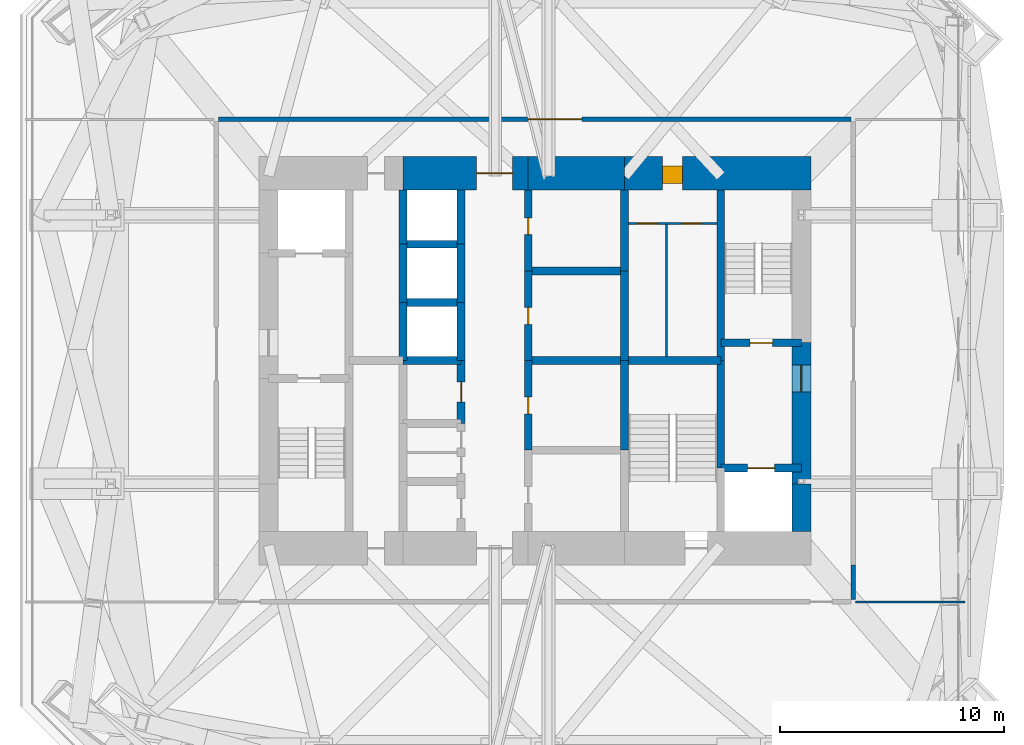
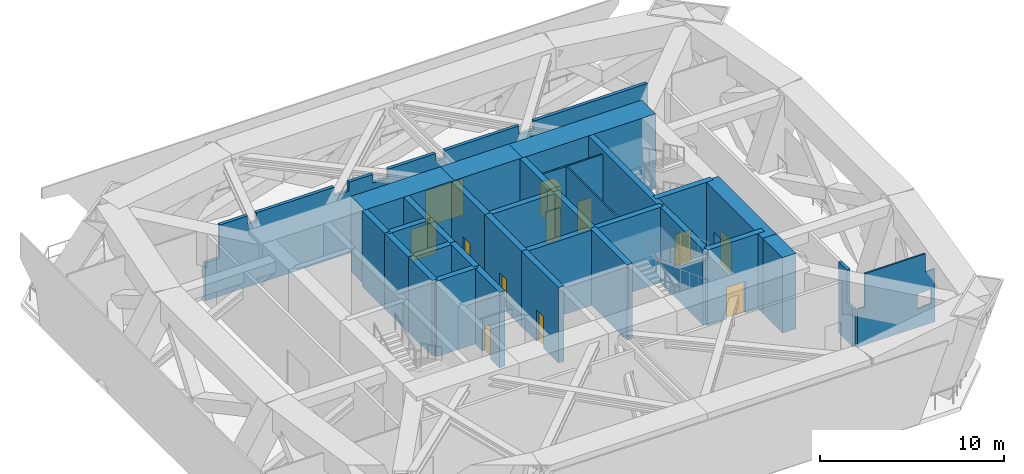
# One storey, part 5 of 8: 33 walls, 12 doors, 12 openings.
"""IFC4 building model written with IfcOpenShell, lengths in metres."""

from ifc_helpers import new_model, si_unit, direction, frame, frame_2d, origin, place, context, subcontext, project, spatial, polyline, rectangle, outline, extrude, material, layer, layer_set, constituent, constituent_set, type_object, element, fill, save


model = new_model("IFC4")

# Units and contexts
model_context = context("Model", 3, precision=1e-05, world=origin(), true_north=direction((0.0, 1.0)))
body_context = subcontext(model_context, "Body", "Model", "MODEL_VIEW")
ifc_project = project(units=[si_unit("LENGTHUNIT", "METRE"), si_unit("AREAUNIT", "SQUARE_METRE"), si_unit("VOLUMEUNIT", "CUBIC_METRE"), si_unit("PLANEANGLEUNIT", "RADIAN"), si_unit("MASSUNIT", "GRAM", prefix="KILO")], contexts=[model_context])

# Site, building, storey
site_placement = place(None, origin())
site = spatial("IfcSite", under=ifc_project, at=site_placement, CompositionType="ELEMENT")
building_placement = place(site_placement, origin())
building = spatial("IfcBuilding", under=site, at=building_placement, Name="Jalousie Tower", CompositionType="ELEMENT")
storey_placement = place(building_placement, frame((0.0, 0.0, 149.35009765625)))
storey = spatial("IfcBuildingStorey", under=building, at=storey_placement, Name="L40", CompositionType="ELEMENT", Elevation=149.35009765625)

# Wall, opening, door
ifc_material_1 = material(Name="Concrete f'c 120 MPa", Category="concrete")
ifc_layer_1 = layer(ifc_material_1, 1.5)
ifc_layer_set_1 = layer_set([ifc_layer_1], Name="Concrete f'c 120 MPa")
wall_type_1 = type_object("IfcWallType", Name="CORE WALL 1500", PredefinedType="SHEAR", material=ifc_layer_set_1)
wall_1_placement = place(storey_placement, frame((44.22509765625, 26.875, 0.0), z_axis=(0.0, 0.0, 1.0), x_axis=(-1.0, 0.0, 0.0)))
wall_1 = element("IfcWall", 1, at=wall_1_placement, inside=storey, type_object=wall_type_1, Name="Core wall NA L40", PredefinedType="SHEAR", context=body_context, shape_type="SweptSolid", body=[
    extrude(rectangle(XDim=8.3251953125, YDim=1.5, at=frame_2d((4.16259765625, 0.0))), origin(), (0.0, 0.0, 1.0), 5.0),
])
opening_1_placement = place(wall_1_placement, frame((5.72509765625, 0.0, 0.0)))
opening_1 = element("IfcOpeningElement", 2, at=opening_1_placement, cuts=wall_1, Name="Opening D25", PredefinedType="OPENING", context=body_context, shape_type="SweptSolid", body=[
    extrude(rectangle(XDim=0.89990234375, YDim=2.10009765625, at=frame_2d((0.449951171875, 1.050048828125))), frame((0.0, 0.760009765625, 0.0), z_axis=(0.0, -1.0, 0.0), x_axis=(1.0, 0.0, 0.0)), (0.0, 0.0, 1.0), 1.52001953125),
])
ifc_material_2 = material(Name="Steel fire door", Category="steel")
door_type_1 = type_object("IfcDoorType", Name="SERVICE LOBBY DOOR 900", OperationType="SINGLE_SWING_LEFT", PredefinedType="DOOR", material=ifc_material_2)
door_1_placement = place(opening_1_placement, origin())
door_1 = element("IfcDoor", 3, at=door_1_placement, inside=storey, type_object=door_type_1, Name="Service lobby door", OperationType="SINGLE_SWING_LEFT", OverallHeight=2.10009765625, OverallWidth=0.89990234375, PredefinedType="DOOR", context=body_context, shape_type="SweptSolid", body=[
    extrude(rectangle(XDim=0.89990234375, YDim=2.10009765625, at=frame_2d((0.449951171875, 1.050048828125))), frame((0.0, 0.47021484375, 0.0), z_axis=(0.0, -1.0, 0.0), x_axis=(1.0, 0.0, 0.0)), (0.0, 0.0, 1.0), 0.800048828125),
])
fill(opening_1, door_1)

# Wall
wall_2_placement = place(storey_placement, frame((35.89990234375, 26.875, 0.0), z_axis=(0.0, 0.0, 1.0), x_axis=(-1.0, 0.0, 0.0)))
element("IfcWall", 4, at=wall_2_placement, inside=storey, type_object=wall_type_1, Name="Core wall NB L40", PredefinedType="SHEAR", context=body_context, shape_type="SweptSolid", body=[
    extrude(rectangle(XDim=4.2998046875, YDim=1.5, at=frame_2d((2.14990234375, 0.0))), origin(), (0.0, 0.0, 1.0), 5.0),
])

# Wall, opening, door
wall_3_placement = place(storey_placement, frame((31.60009765625, 26.875, 0.0), z_axis=(0.0, 0.0, 1.0), x_axis=(-1.0, 0.0, 0.0)))
wall_3 = element("IfcWall", 5, at=wall_3_placement, inside=storey, type_object=wall_type_1, Name="Core wall NC L40", PredefinedType="SHEAR", context=body_context, shape_type="SweptSolid", body=[
    extrude(rectangle(XDim=5.60009765625, YDim=1.5, at=frame_2d((2.800048828125, 0.0))), origin(), (0.0, 0.0, 1.0), 5.0),
])
opening_2_placement = place(wall_3_placement, frame((0.699951171875, 0.0, 0.0)))
opening_2 = element("IfcOpeningElement", 6, at=opening_2_placement, cuts=wall_3, Name="Opening D15", PredefinedType="OPENING", context=body_context, shape_type="SweptSolid", body=[
    extrude(rectangle(XDim=1.60009765625, YDim=2.10009765625, at=frame_2d((0.800048828125, 1.050048828125))), frame((0.0, 0.760009765625, 0.0), z_axis=(0.0, -1.0, 0.0), x_axis=(1.0, 0.0, 0.0)), (0.0, 0.0, 1.0), 1.52001953125),
])
ifc_material_3 = material(Name="Steel fire door", Category="steel")
door_type_2 = type_object("IfcDoorType", Name="LIFT LOBBY DOOR 1600", OperationType="DOUBLE_DOOR_SINGLE_SWING", PredefinedType="DOOR", material=ifc_material_3)
door_2_placement = place(opening_2_placement, origin())
door_2 = element("IfcDoor", 7, at=door_2_placement, inside=storey, type_object=door_type_2, Name="Lift lobby north door", OperationType="DOUBLE_DOOR_SINGLE_SWING", OverallHeight=2.10009765625, OverallWidth=1.60009765625, PredefinedType="DOOR", context=body_context, shape_type="SweptSolid", body=[
    extrude(rectangle(XDim=1.60009765625, YDim=2.10009765625, at=frame_2d((0.800048828125, 1.050048828125))), frame((0.0, 0.02490234375, 0.0), z_axis=(0.0, -1.0, 0.0), x_axis=(1.0, 0.0, 0.0)), (0.0, 0.0, 1.0), 0.050048828125),
])
fill(opening_2, door_2)

# Walls
ifc_material_4 = material(Name="Concrete f'c 120 MPa", Category="concrete")
ifc_layer_2 = layer(ifc_material_4, 0.35009765625)
ifc_layer_set_2 = layer_set([ifc_layer_2], Name="Concrete f'c 120 MPa")
wall_type_2 = type_object("IfcWallType", Name="CORE WALL 350", PredefinedType="SHEAR", material=ifc_layer_set_2)
wall_4_placement = place(storey_placement, frame((26.0, 18.5, 0.0), z_axis=(0.0, 0.0, 1.0), x_axis=(0.0, 1.0, 0.0)))
element("IfcWall", 8, at=wall_4_placement, inside=storey, type_object=wall_type_2, Name="Core wall X26D L40", PredefinedType="SHEAR", context=body_context, shape_type="SweptSolid", body=[
    extrude(rectangle(XDim=2.60009765625, YDim=0.35009765625, at=frame_2d((1.300048828125, 0.0))), origin(), (0.0, 0.0, 1.0), 5.0),
])
wall_5_placement = place(storey_placement, frame((26.0, 21.10009765625, 0.0), z_axis=(0.0, 0.0, 1.0), x_axis=(0.0, 1.0, 0.0)))
element("IfcWall", 9, at=wall_5_placement, inside=storey, type_object=wall_type_2, Name="Core wall X26E L40", PredefinedType="SHEAR", context=body_context, shape_type="SweptSolid", body=[
    extrude(rectangle(XDim=2.599853515625, YDim=0.35009765625, at=frame_2d((1.2998046875, 0.0))), origin(), (0.0, 0.0, 1.0), 5.0),
])
wall_6_placement = place(storey_placement, frame((26.0, 23.699951171875, 0.0), z_axis=(0.0, 0.0, 1.0), x_axis=(0.0, 1.0, 0.0)))
element("IfcWall", 10, at=wall_6_placement, inside=storey, type_object=wall_type_2, Name="Core wall X26F L40", PredefinedType="SHEAR", context=body_context, shape_type="SweptSolid", body=[
    extrude(rectangle(XDim=2.425048828125, YDim=0.35009765625, at=frame_2d((1.21240234375, 0.0))), origin(), (0.0, 0.0, 1.0), 5.0),
])

# Wall, opening, door
wall_7_placement = place(storey_placement, frame((28.60009765625, 15.699951171875, 0.0), z_axis=(0.0, 0.0, 1.0), x_axis=(0.0, 1.0, 0.0)))
wall_7 = element("IfcWall", 11, at=wall_7_placement, inside=storey, type_object=wall_type_2, Name="Core wall X28.6C L40", PredefinedType="SHEAR", context=body_context, shape_type="SweptSolid", body=[
    extrude(rectangle(XDim=2.800048828125, YDim=0.35009765625, at=frame_2d((1.39990234375, 0.0))), origin(), (0.0, 0.0, 1.0), 5.0),
])
opening_3_placement = place(wall_7_placement, frame((0.949951171875, 0.0, 0.0)))
opening_3 = element("IfcOpeningElement", 12, at=opening_3_placement, cuts=wall_7, Name="Opening D24", PredefinedType="OPENING", context=body_context, shape_type="SweptSolid", body=[
    extrude(rectangle(XDim=0.89990234375, YDim=2.10009765625, at=frame_2d((0.449951171875, 1.050048828125))), frame((0.0, 0.18505859375, 0.0), z_axis=(0.0, -1.0, 0.0), x_axis=(1.0, 0.0, 0.0)), (0.0, 0.0, 1.0), 0.3701171875),
])
ifc_material_5 = material(Name="Steel fire door", Category="steel")
door_type_3 = type_object("IfcDoorType", Name="CORE ROOM DOOR 900", OperationType="SINGLE_SWING_LEFT", PredefinedType="DOOR", material=ifc_material_5)
door_3_placement = place(opening_3_placement, origin())
door_3 = element("IfcDoor", 13, at=door_3_placement, inside=storey, type_object=door_type_3, Name="IT room door", OperationType="SINGLE_SWING_LEFT", OverallHeight=2.10009765625, OverallWidth=0.89990234375, PredefinedType="DOOR", context=body_context, shape_type="SweptSolid", body=[
    extrude(rectangle(XDim=0.89990234375, YDim=2.10009765625, at=frame_2d((0.449951171875, 1.050048828125))), frame((0.0, 0.02490234375, 0.0), z_axis=(0.0, -1.0, 0.0), x_axis=(1.0, 0.0, 0.0)), (0.0, 0.0, 1.0), 0.050048828125),
])
fill(opening_3, door_3)

# Walls
wall_8_placement = place(storey_placement, frame((28.60009765625, 18.5, 0.0), z_axis=(0.0, 0.0, 1.0), x_axis=(0.0, 1.0, 0.0)))
element("IfcWall", 14, at=wall_8_placement, inside=storey, type_object=wall_type_2, Name="Core wall X28.6D L40", PredefinedType="SHEAR", context=body_context, shape_type="SweptSolid", body=[
    extrude(rectangle(XDim=2.60009765625, YDim=0.35009765625, at=frame_2d((1.300048828125, 0.0))), origin(), (0.0, 0.0, 1.0), 5.0),
])
wall_9_placement = place(storey_placement, frame((28.60009765625, 21.10009765625, 0.0), z_axis=(0.0, 0.0, 1.0), x_axis=(0.0, 1.0, 0.0)))
element("IfcWall", 15, at=wall_9_placement, inside=storey, type_object=wall_type_2, Name="Core wall X28.6E L40", PredefinedType="SHEAR", context=body_context, shape_type="SweptSolid", body=[
    extrude(rectangle(XDim=2.599853515625, YDim=0.35009765625, at=frame_2d((1.2998046875, 0.0))), origin(), (0.0, 0.0, 1.0), 5.0),
])
wall_10_placement = place(storey_placement, frame((28.60009765625, 23.699951171875, 0.0), z_axis=(0.0, 0.0, 1.0), x_axis=(0.0, 1.0, 0.0)))
element("IfcWall", 16, at=wall_10_placement, inside=storey, type_object=wall_type_2, Name="Core wall X28.6F L40", PredefinedType="SHEAR", context=body_context, shape_type="SweptSolid", body=[
    extrude(rectangle(XDim=2.425048828125, YDim=0.35009765625, at=frame_2d((1.21240234375, 0.0))), origin(), (0.0, 0.0, 1.0), 5.0),
])

# Wall, opening, door
wall_11_placement = place(storey_placement, frame((31.60009765625, 14.5, 0.0), z_axis=(0.0, 0.0, 1.0), x_axis=(0.0, 1.0, 0.0)))
wall_11 = element("IfcWall", 17, at=wall_11_placement, inside=storey, type_object=wall_type_2, Name="Core wall X31.6B L40", PredefinedType="SHEAR", context=body_context, shape_type="SweptSolid", body=[
    extrude(rectangle(XDim=4.0, YDim=0.35009765625, at=frame_2d((2.0, 0.0))), origin(), (0.0, 0.0, 1.0), 5.0),
])
opening_4_placement = place(wall_11_placement, frame((1.625, 0.0, 0.0)))
opening_4 = element("IfcOpeningElement", 18, at=opening_4_placement, cuts=wall_11, Name="Opening D16", PredefinedType="OPENING", context=body_context, shape_type="SweptSolid", body=[
    extrude(rectangle(XDim=0.75, YDim=2.10009765625, at=frame_2d((0.375, 1.050048828125))), frame((0.0, 0.18505859375, 0.0), z_axis=(0.0, -1.0, 0.0), x_axis=(1.0, 0.0, 0.0)), (0.0, 0.0, 1.0), 0.3701171875),
])
ifc_material_6 = material(Name="Steel fire door", Category="steel")
door_type_4 = type_object("IfcDoorType", Name="RISER DOOR 750", OperationType="SINGLE_SWING_LEFT", PredefinedType="DOOR", material=ifc_material_6)
door_4_placement = place(opening_4_placement, frame((0.75, 0.0, 0.0), z_axis=(0.0, 0.0, 1.0), x_axis=(-1.0, 0.0, 0.0)))
door_4 = element("IfcDoor", 19, at=door_4_placement, inside=storey, type_object=door_type_4, Name="Electrical Room door", OperationType="SINGLE_SWING_RIGHT", OverallHeight=2.10009765625, OverallWidth=0.75, PredefinedType="DOOR", context=body_context, shape_type="SweptSolid", body=[
    extrude(rectangle(XDim=0.75, YDim=2.10009765625, at=frame_2d((0.375, 1.050048828125))), frame((0.0, 0.02490234375, 0.0), z_axis=(0.0, -1.0, 0.0), x_axis=(1.0, 0.0, 0.0)), (0.0, 0.0, 1.0), 0.050048828125),
])
fill(opening_4, door_4)

wall_12_placement = place(storey_placement, frame((31.60009765625, 18.5, 0.0), z_axis=(0.0, 0.0, 1.0), x_axis=(0.0, 1.0, 0.0)))
wall_12 = element("IfcWall", 20, at=wall_12_placement, inside=storey, type_object=wall_type_2, Name="Core wall X31.6C L40", PredefinedType="SHEAR", context=body_context, shape_type="SweptSolid", body=[
    extrude(rectangle(XDim=4.0, YDim=0.35009765625, at=frame_2d((2.0, 0.0))), origin(), (0.0, 0.0, 1.0), 5.0),
])
opening_5_placement = place(wall_12_placement, frame((1.625, 0.0, 0.0)))
opening_5 = element("IfcOpeningElement", 21, at=opening_5_placement, cuts=wall_12, Name="Opening D16", PredefinedType="OPENING", context=body_context, shape_type="SweptSolid", body=[
    extrude(rectangle(XDim=0.75, YDim=2.10009765625, at=frame_2d((0.375, 1.050048828125))), frame((0.0, 0.18505859375, 0.0), z_axis=(0.0, -1.0, 0.0), x_axis=(1.0, 0.0, 0.0)), (0.0, 0.0, 1.0), 0.3701171875),
])
door_5_placement = place(opening_5_placement, frame((0.75, 0.0, 0.0), z_axis=(0.0, 0.0, 1.0), x_axis=(-1.0, 0.0, 0.0)))
door_5 = element("IfcDoor", 22, at=door_5_placement, inside=storey, type_object=door_type_4, Name="Telecom Room door", OperationType="SINGLE_SWING_RIGHT", OverallHeight=2.10009765625, OverallWidth=0.75, PredefinedType="DOOR", context=body_context, shape_type="SweptSolid", body=[
    extrude(rectangle(XDim=0.75, YDim=2.10009765625, at=frame_2d((0.375, 1.050048828125))), frame((0.0, 0.02490234375, 0.0), z_axis=(0.0, -1.0, 0.0), x_axis=(1.0, 0.0, 0.0)), (0.0, 0.0, 1.0), 0.050048828125),
])
fill(opening_5, door_5)

wall_13_placement = place(storey_placement, frame((31.60009765625, 22.5, 0.0), z_axis=(0.0, 0.0, 1.0), x_axis=(0.0, 1.0, 0.0)))
wall_13 = element("IfcWall", 23, at=wall_13_placement, inside=storey, type_object=wall_type_2, Name="Core wall X31.6D L40", PredefinedType="SHEAR", context=body_context, shape_type="SweptSolid", body=[
    extrude(rectangle(XDim=3.625, YDim=0.35009765625, at=frame_2d((1.8125, 0.0))), origin(), (0.0, 0.0, 1.0), 5.0),
])
opening_6_placement = place(wall_13_placement, frame((1.625, 0.0, 0.0)))
opening_6 = element("IfcOpeningElement", 24, at=opening_6_placement, cuts=wall_13, Name="Opening D16", PredefinedType="OPENING", context=body_context, shape_type="SweptSolid", body=[
    extrude(rectangle(XDim=0.75, YDim=2.10009765625, at=frame_2d((0.375, 1.050048828125))), frame((0.0, 0.18505859375, 0.0), z_axis=(0.0, -1.0, 0.0), x_axis=(1.0, 0.0, 0.0)), (0.0, 0.0, 1.0), 0.3701171875),
])
door_6_placement = place(opening_6_placement, frame((0.75, 0.0, 0.0), z_axis=(0.0, 0.0, 1.0), x_axis=(-1.0, 0.0, 0.0)))
door_6 = element("IfcDoor", 25, at=door_6_placement, inside=storey, type_object=door_type_4, Name="Water Services Room door", OperationType="SINGLE_SWING_LEFT", OverallHeight=2.10009765625, OverallWidth=0.75, PredefinedType="DOOR", context=body_context, shape_type="SweptSolid", body=[
    extrude(rectangle(XDim=0.75, YDim=2.10009765625, at=frame_2d((0.375, 1.050048828125))), frame((0.0, 0.02490234375, 0.0), z_axis=(0.0, -1.0, 0.0), x_axis=(1.0, 0.0, 0.0)), (0.0, 0.0, 1.0), 0.050048828125),
])
fill(opening_6, door_6)

# Walls
for number, where, z_axis, x_axis, name in (
    (26, (35.89990234375, 14.5, 0.0), (0.0, 0.0, 1.0), (0.0, 1.0, 0.0), "Core wall X35.9B L40"),
    (27, (35.89990234375, 18.5, 0.0), (0.0, 0.0, 1.0), (0.0, 1.0, 0.0), "Core wall X35.9C L40"),
):
    element("IfcWall", number, at=place(storey_placement, frame(where, z_axis=z_axis, x_axis=x_axis)), inside=storey, type_object=wall_type_2, Name=name, PredefinedType="SHEAR", context=body_context, shape_type="SweptSolid", body=[
        extrude(rectangle(XDim=4.0, YDim=0.35009765625, at=frame_2d((2.0, 0.0))), origin(), (0.0, 0.0, 1.0), 5.0),
    ])
wall_14_placement = place(storey_placement, frame((35.89990234375, 22.5, 0.0), z_axis=(0.0, 0.0, 1.0), x_axis=(0.0, 1.0, 0.0)))
element("IfcWall", 28, at=wall_14_placement, inside=storey, type_object=wall_type_2, Name="Core wall X35.9D L40", PredefinedType="SHEAR", context=body_context, shape_type="SweptSolid", body=[
    extrude(rectangle(XDim=3.625, YDim=0.35009765625, at=frame_2d((1.8125, 0.0))), origin(), (0.0, 0.0, 1.0), 5.0),
])
wall_15_placement = place(storey_placement, frame((40.199951171875, 13.699951171875, 0.0), z_axis=(0.0, 0.0, 1.0), x_axis=(0.0, 1.0, 0.0)))
element("IfcWall", 29, at=wall_15_placement, inside=storey, type_object=wall_type_2, Name="Core wall X40.2B L40", PredefinedType="SHEAR", context=body_context, shape_type="SweptSolid", body=[
    extrude(rectangle(XDim=4.800048828125, YDim=0.35009765625, at=frame_2d((2.39990234375, 0.0))), origin(), (0.0, 0.0, 1.0), 5.0),
])
wall_16_placement = place(storey_placement, frame((40.199951171875, 18.5, 0.0), z_axis=(0.0, 0.0, 1.0), x_axis=(0.0, 1.0, 0.0)))
element("IfcWall", 30, at=wall_16_placement, inside=storey, type_object=wall_type_2, Name="Core wall X40.2C L40", PredefinedType="SHEAR", context=body_context, shape_type="SweptSolid", body=[
    extrude(rectangle(XDim=7.625, YDim=0.35009765625, at=frame_2d((3.8125, 0.0))), origin(), (0.0, 0.0, 1.0), 5.0),
])
for number, where, z_axis, x_axis, name in (
    (31, (26.0, 18.5, 0.0), (0.0, 0.0, 1.0), (1.0, 0.0, 0.0), "Core wall Y26-18.5 L40"),
    (32, (26.0, 21.10009765625, 0.0), (0.0, 0.0, 1.0), (1.0, 0.0, 0.0), "Core wall Y26-21.1 L40"),
    (33, (26.0, 23.699951171875, 0.0), (0.0, 0.0, 1.0), (1.0, 0.0, 0.0), "Core wall Y26-23.7 L40"),
):
    element("IfcWall", number, at=place(storey_placement, frame(where, z_axis=z_axis, x_axis=x_axis)), inside=storey, type_object=wall_type_2, Name=name, PredefinedType="SHEAR", context=body_context, shape_type="SweptSolid", body=[
        extrude(rectangle(XDim=2.60009765625, YDim=0.35009765625, at=frame_2d((1.300048828125, 0.0))), origin(), (0.0, 0.0, 1.0), 5.0),
    ])
for number, where, z_axis, x_axis, name in (
    (34, (31.60009765625, 18.5, 0.0), (0.0, 0.0, 1.0), (1.0, 0.0, 0.0), "Core wall Y31.6-18.5 L40"),
    (35, (31.60009765625, 22.5, 0.0), (0.0, 0.0, 1.0), (1.0, 0.0, 0.0), "Core wall Y31.6-22.5 L40"),
):
    element("IfcWall", number, at=place(storey_placement, frame(where, z_axis=z_axis, x_axis=x_axis)), inside=storey, type_object=wall_type_2, Name=name, PredefinedType="SHEAR", context=body_context, shape_type="SweptSolid", body=[
        extrude(rectangle(XDim=4.2998046875, YDim=0.35009765625, at=frame_2d((2.14990234375, 0.0))), origin(), (0.0, 0.0, 1.0), 5.0),
    ])
wall_17_placement = place(storey_placement, frame((35.89990234375, 18.5, 0.0), z_axis=(0.0, 0.0, 1.0), x_axis=(1.0, 0.0, 0.0)))
element("IfcWall", 36, at=wall_17_placement, inside=storey, type_object=wall_type_2, Name="Core wall Y35.9-18.5 L40", PredefinedType="SHEAR", context=body_context, shape_type="SweptSolid", body=[
    extrude(rectangle(XDim=4.300048828125, YDim=0.35009765625, at=frame_2d((2.14990234375, 0.0))), origin(), (0.0, 0.0, 1.0), 5.0),
])

# Wall, opening, door
wall_18_placement = place(storey_placement, frame((40.199951171875, 13.699951171875, 0.0), z_axis=(0.0, 0.0, 1.0), x_axis=(1.0, 0.0, 0.0)))
wall_18 = element("IfcWall", 37, at=wall_18_placement, inside=storey, type_object=wall_type_2, Name="Core wall Y40.2-13.7 L40", PredefinedType="SHEAR", context=body_context, shape_type="SweptSolid", body=[
    extrude(rectangle(XDim=3.60009765625, YDim=0.35009765625, at=frame_2d((1.800048828125, 0.0))), origin(), (0.0, 0.0, 1.0), 5.0),
])
opening_7_placement = place(wall_18_placement, frame((1.199951171875, 0.0, 0.0)))
opening_7 = element("IfcOpeningElement", 38, at=opening_7_placement, cuts=wall_18, Name="Opening LD2", PredefinedType="OPENING", context=body_context, shape_type="SweptSolid", body=[
    extrude(rectangle(XDim=1.199951171875, YDim=2.10009765625, at=frame_2d((0.60009765625, 1.050048828125))), frame((0.0, 0.18505859375, 0.0), z_axis=(0.0, -1.0, 0.0), x_axis=(1.0, 0.0, 0.0)), (0.0, 0.0, 1.0), 0.3701171875),
])
ifc_material_7 = material(Name="Steel lift landing door", Category="steel")
door_type_5 = type_object("IfcDoorType", Name="LIFT LANDING DOOR 1200", OperationType="SLIDING_TO_LEFT", PredefinedType="DOOR", material=ifc_material_7)
door_7_placement = place(opening_7_placement, origin())
door_7 = element("IfcDoor", 39, at=door_7_placement, inside=storey, type_object=door_type_5, Name="Lift F2 landing door", OperationType="SLIDING_TO_LEFT", OverallHeight=2.10009765625, OverallWidth=1.199951171875, PredefinedType="DOOR", context=body_context, shape_type="SweptSolid", body=[
    extrude(rectangle(XDim=1.199951171875, YDim=2.10009765625, at=frame_2d((0.60009765625, 1.050048828125))), frame((0.0, 0.02490234375, 0.0), z_axis=(0.0, -1.0, 0.0), x_axis=(1.0, 0.0, 0.0)), (0.0, 0.0, 1.0), 0.050048828125),
])
fill(opening_7, door_7)

wall_19_placement = place(storey_placement, frame((40.199951171875, 19.300048828125, 0.0), z_axis=(0.0, 0.0, 1.0), x_axis=(1.0, 0.0, 0.0)))
wall_19 = element("IfcWall", 40, at=wall_19_placement, inside=storey, type_object=wall_type_2, Name="Core wall Y40.2-19.3 L40", PredefinedType="SHEAR", context=body_context, shape_type="SweptSolid", body=[
    extrude(rectangle(XDim=3.60009765625, YDim=0.35009765625, at=frame_2d((1.800048828125, 0.0))), origin(), (0.0, 0.0, 1.0), 5.0),
])
opening_8_placement = place(wall_19_placement, frame((1.300048828125, 0.0, 0.0)))
opening_8 = element("IfcOpeningElement", 41, at=opening_8_placement, cuts=wall_19, Name="Opening D10", PredefinedType="OPENING", context=body_context, shape_type="SweptSolid", body=[
    extrude(rectangle(XDim=1.0, YDim=2.10009765625, at=frame_2d((0.5, 1.050048828125))), frame((0.0, 0.18505859375, 0.0), z_axis=(0.0, -1.0, 0.0), x_axis=(1.0, 0.0, 0.0)), (0.0, 0.0, 1.0), 0.3701171875),
])
ifc_material_8 = material(Name="Steel fire door", Category="steel")
door_type_6 = type_object("IfcDoorType", Name="STAIR DOOR 1000", OperationType="SINGLE_SWING_LEFT", PredefinedType="DOOR", material=ifc_material_8)
door_8_placement = place(opening_8_placement, origin())
door_8 = element("IfcDoor", 42, at=door_8_placement, inside=storey, type_object=door_type_6, Name="Exit stair B door", OperationType="SINGLE_SWING_RIGHT", OverallHeight=2.10009765625, OverallWidth=1.0, PredefinedType="DOOR", context=body_context, shape_type="SweptSolid", body=[
    extrude(rectangle(XDim=1.0, YDim=2.10009765625, at=frame_2d((0.5, 1.050048828125))), frame((0.0, 0.02490234375, 0.0), z_axis=(0.0, -1.0, 0.0), x_axis=(1.0, 0.0, 0.0)), (0.0, 0.0, 1.0), 0.050048828125),
])
fill(opening_8, door_8)

# Wall
ifc_material_9 = material(Name="Concrete f'c 120 MPa", Category="concrete")
ifc_layer_3 = layer(ifc_material_9, 0.85009765625)
ifc_layer_set_3 = layer_set([ifc_layer_3], Name="Concrete f'c 120 MPa")
wall_type_3 = type_object("IfcWallType", Name="CORE WALL 850", PredefinedType="SHEAR", material=ifc_layer_set_3)
wall_20_placement = place(storey_placement, frame((43.800048828125, 10.875, 0.0), z_axis=(0.0, 0.0, 1.0), x_axis=(0.0, 1.0, 0.0)))
element("IfcWall", 43, at=wall_20_placement, inside=storey, type_object=wall_type_3, Name="Core wall EA L40", PredefinedType="SHEAR", context=body_context, shape_type="SweptSolid", body=[
    extrude(rectangle(XDim=2.125, YDim=0.85009765625, at=frame_2d((1.0625, 0.0))), origin(), (0.0, 0.0, 1.0), 5.0),
])

# Wall, opening, door
wall_21_placement = place(storey_placement, frame((43.800048828125, 13.0, 0.0), z_axis=(0.0, 0.0, 1.0), x_axis=(0.0, 1.0, 0.0)))
wall_21 = element("IfcWall", 44, at=wall_21_placement, inside=storey, type_object=wall_type_3, Name="Core wall EB L40", PredefinedType="SHEAR", context=body_context, shape_type="SweptSolid", body=[
    extrude(rectangle(XDim=6.300048828125, YDim=0.85009765625, at=frame_2d((3.14990234375, 0.0))), origin(), (0.0, 0.0, 1.0), 5.0),
])
opening_9_placement = place(wall_21_placement, frame((4.10009765625, 0.0, 0.0)))
opening_9 = element("IfcOpeningElement", 45, at=opening_9_placement, cuts=wall_21, Name="Opening D11", PredefinedType="OPENING", context=body_context, shape_type="SweptSolid", body=[
    extrude(rectangle(XDim=1.199951171875, YDim=2.199951171875, at=frame_2d((0.60009765625, 1.10009765625))), frame((0.0, 0.43505859375, 0.0), z_axis=(0.0, -1.0, 0.0), x_axis=(1.0, 0.0, 0.0)), (0.0, 0.0, 1.0), 0.8701171875),
])
ifc_material_10 = material(Name="Steel fire door", Category="steel")
door_type_7 = type_object("IfcDoorType", Name="FIRE DOOR 1200", OperationType="SINGLE_SWING_LEFT", PredefinedType="DOOR", material=ifc_material_10)
door_9_placement = place(opening_9_placement, origin())
door_9 = element("IfcDoor", 46, at=door_9_placement, inside=storey, type_object=door_type_7, Name="Fire-fighting lobby B door", OperationType="SINGLE_SWING_RIGHT", OverallHeight=2.199951171875, OverallWidth=1.199951171875, PredefinedType="DOOR", context=body_context, shape_type="SweptSolid", body=[
    extrude(rectangle(XDim=1.199951171875, YDim=2.199951171875, at=frame_2d((0.60009765625, 1.10009765625))), frame((0.0, 0.02490234375, 0.0), z_axis=(0.0, -1.0, 0.0), x_axis=(1.0, 0.0, 0.0)), (0.0, 0.0, 1.0), 0.050048828125),
])
fill(opening_9, door_9)

# Wall
ifc_material_11 = material(Name="Concrete block ASTM C90", Category="concrete")
ifc_constituent_1 = constituent(ifc_material_11, Name="Body")
ifc_material_12 = material(Name="Render")
ifc_constituent_2 = constituent(ifc_material_12, Name="Finish")
ifc_constituent_set_1 = constituent_set(constituents=[ifc_constituent_1, ifc_constituent_2])
wall_type_4 = type_object("IfcWallType", Name="CORRIDOR WALL 200", PredefinedType="PARTITIONING", material=ifc_constituent_set_1)
wall_22_placement = place(storey_placement, frame((46.125, 7.824951171875, 0.0), z_axis=(0.0, 0.0, 1.0), x_axis=(0.0, 1.0, 0.0)))
element("IfcWall", 47, at=wall_22_placement, inside=storey, type_object=wall_type_4, Name="Corridor Wall 200 L40", PredefinedType="PARTITIONING", context=body_context, shape_type="SweptSolid", body=[
    extrude(outline(polyline([(0.0, 0.0), (1.550048828125, 0.0), (1.550048828125, 4.719970703125), (0.622314453125, 4.719970703125), (0.622314453125, 2.52001953125), (0.0, 2.52001953125), (0.0, 0.0)])), frame((0.0, 0.10009765625, 0.0), z_axis=(0.0, -1.0, 0.0), x_axis=(1.0, 0.0, 0.0)), (0.0, 0.0, 1.0), 0.199951171875),
])

# Wall, opening, door
wall_23_placement = place(storey_placement, frame((17.77490234375, 29.27490234375, 0.0), z_axis=(0.0, 0.0, 1.0), x_axis=(1.0, 0.0, 0.0)))
wall_23 = element("IfcWall", 48, at=wall_23_placement, inside=storey, type_object=wall_type_4, Name="Corridor Wall 200 L40", PredefinedType="PARTITIONING", context=body_context, shape_type="SweptSolid", body=[
    extrude(outline(polyline([(0.0, 0.0), (28.25, 0.0), (28.25, 2.52001953125), (27.727783203125, 2.52001953125), (27.727783203125, 4.719970703125), (20.59765625, 4.719970703125), (20.59765625, 4.140869140625), (19.66748046875, 4.140869140625), (19.66748046875, 4.719970703125), (15.009521484375, 4.719970703125), (15.009521484375, 4.2080078125), (14.4404296875, 4.2080078125), (14.4404296875, 4.719970703125), (11.448974609375, 4.719970703125), (11.448974609375, 4.140869140625), (10.51220703125, 4.140869140625), (10.51220703125, 4.719970703125), (8.986083984375, 4.719970703125), (8.986083984375, 4.140869140625), (8.0791015625, 4.140869140625), (8.0791015625, 4.719970703125), (3.181396484375, 4.719970703125), (3.181396484375, 4.140869140625), (2.6376953125, 4.140869140625), (2.6376953125, 4.719970703125), (0.885498046875, 4.719970703125), (0.885498046875, 2.52001953125), (0.0, 2.52001953125), (0.0, 0.0)]), holes=[polyline([(13.77978515625, 3.238525390625), (13.834228515625, 3.35302734375), (14.380615234375, 3.42333984375), (14.380615234375, 2.917236328125), (14.326171875, 2.802734375), (13.77978515625, 2.732421875), (13.77978515625, 3.238525390625)])]), frame((0.0, 0.10009765625, 0.0), z_axis=(0.0, -1.0, 0.0), x_axis=(1.0, 0.0, 0.0)), (0.0, 0.0, 1.0), 0.199951171875),
])
opening_10_placement = place(wall_23_placement, frame((13.824951171875, 0.0, 0.0)))
opening_10 = element("IfcOpeningElement", 49, at=opening_10_placement, cuts=wall_23, Name="Opening D9", PredefinedType="OPENING", context=body_context, shape_type="SweptSolid", body=[
    extrude(rectangle(XDim=2.39990234375, YDim=2.39990234375, at=frame_2d((1.199951171875, 1.199951171875))), frame((0.0, 0.10986328125, 0.0), z_axis=(0.0, -1.0, 0.0), x_axis=(1.0, 0.0, 0.0)), (0.0, 0.0, 1.0), 0.219970703125),
])
ifc_material_13 = material(Name="Steel fire door", Category="steel")
door_type_8 = type_object("IfcDoorType", Name="PLANT DOOR 2400", OperationType="DOUBLE_DOOR_SINGLE_SWING", PredefinedType="DOOR", material=ifc_material_13)
door_10_placement = place(opening_10_placement, origin())
door_10 = element("IfcDoor", 50, at=door_10_placement, inside=storey, type_object=door_type_8, Name="Pump room door", OperationType="DOUBLE_DOOR_SINGLE_SWING", OverallHeight=2.39990234375, OverallWidth=2.39990234375, PredefinedType="DOOR", context=body_context, shape_type="SweptSolid", body=[
    extrude(rectangle(XDim=2.39990234375, YDim=2.39990234375, at=frame_2d((1.199951171875, 1.199951171875))), frame((0.0, 0.02490234375, 0.0), z_axis=(0.0, -1.0, 0.0), x_axis=(1.0, 0.0, 0.0)), (0.0, 0.0, 1.0), 0.050048828125),
])
fill(opening_10, door_10)

# Wall
ifc_material_14 = material(Name="Gypsum board", Category="gypsum")
ifc_constituent_3 = constituent(ifc_material_14, Name="Body")
ifc_material_15 = material(Name="Light-gauge steel studs ASTM A653 SS Grade 33", Category="steel")
ifc_constituent_4 = constituent(ifc_material_15, Name="Framing")
ifc_constituent_set_2 = constituent_set(constituents=[ifc_constituent_3, ifc_constituent_4])
wall_type_5 = type_object("IfcWallType", Name="PARTITION 100", PredefinedType="PARTITIONING", material=ifc_constituent_set_2)
wall_24_placement = place(storey_placement, frame((46.22509765625, 7.72509765625, 0.0), z_axis=(0.0, 0.0, 1.0), x_axis=(1.0, 0.0, 0.0)))
element("IfcWall", 51, at=wall_24_placement, inside=storey, type_object=wall_type_5, Name="Partition 100 L40", PredefinedType="PARTITIONING", context=body_context, shape_type="SweptSolid", body=[
    extrude(outline(polyline([(0.469482421875, 2.52001953125), (0.0, 2.52001953125), (0.0, 0.0), (4.875, 0.0), (4.875, 3.5), (4.264892578125, 3.5), (4.264892578125, 4.719970703125), (0.469482421875, 4.719970703125), (0.469482421875, 2.52001953125)]), holes=[polyline([(4.65380859375, 2.260986328125), (4.65380859375, 1.3798828125), (4.655517578125, 1.36865234375), (4.65380859375, 1.3662109375), (4.65380859375, 1.362060546875), (4.65185546875, 1.36328125), (4.62548828125, 1.32421875), (4.62255859375, 1.2705078125), (4.255615234375, 1.265869140625), (3.76416015625, 1.1982421875), (3.76416015625, 2.09033203125), (3.777587890625, 2.110107421875), (3.77783203125, 2.110107421875), (3.80126953125, 2.14697265625), (3.802001953125, 2.14697265625), (3.802001953125, 2.152099609375), (3.806884765625, 2.208251953125), (4.33251953125, 2.218017578125), (4.65380859375, 2.260986328125)])]), frame((0.0, 0.050048828125, 0.0), z_axis=(0.0, -1.0, 0.0), x_axis=(1.0, 0.0, 0.0)), (0.0, 0.0, 1.0), 0.10009765625),
])

# Wall, openings, doors
wall_25_placement = place(storey_placement, frame((36.074951171875, 24.625, 0.0), z_axis=(0.0, 0.0, 1.0), x_axis=(1.0, 0.0, 0.0)))
wall_25 = element("IfcWall", 52, at=wall_25_placement, inside=storey, type_object=wall_type_5, Name="Partition 100 L40", PredefinedType="PARTITIONING", context=body_context, shape_type="SweptSolid", body=[
    extrude(rectangle(XDim=3.949951171875, YDim=0.10009765625, at=frame_2d((1.97509765625, 0.0))), origin(), (0.0, 0.0, 1.0), 4.719970703125),
])
opening_11_placement = place(wall_25_placement, frame((0.39990234375, 0.0, 0.0)))
opening_11 = element("IfcOpeningElement", 53, at=opening_11_placement, cuts=wall_25, Name="Opening D7", PredefinedType="OPENING", context=body_context, shape_type="SweptSolid", body=[
    extrude(rectangle(XDim=0.89990234375, YDim=2.10009765625, at=frame_2d((0.449951171875, 1.050048828125))), frame((0.0, 0.06005859375, 0.0), z_axis=(0.0, -1.0, 0.0), x_axis=(1.0, 0.0, 0.0)), (0.0, 0.0, 1.0), 0.1201171875),
])
opening_12_placement = place(wall_25_placement, frame((2.375, 0.0, 0.0)))
opening_12 = element("IfcOpeningElement", 54, at=opening_12_placement, cuts=wall_25, Name="Opening D7", PredefinedType="OPENING", context=body_context, shape_type="SweptSolid", body=[
    extrude(rectangle(XDim=0.89990234375, YDim=2.10009765625, at=frame_2d((0.449951171875, 1.050048828125))), frame((0.0, 0.06005859375, 0.0), z_axis=(0.0, -1.0, 0.0), x_axis=(1.0, 0.0, 0.0)), (0.0, 0.0, 1.0), 0.1201171875),
])
ifc_material_16 = material(Name="Timber door", Category="wood")
door_type_9 = type_object("IfcDoorType", Name="INTERNAL DOOR 900", OperationType="SINGLE_SWING_LEFT", PredefinedType="DOOR", material=ifc_material_16)
door_11_placement = place(opening_11_placement, frame((0.89990234375, 0.0, 0.0), z_axis=(0.0, 0.0, 1.0), x_axis=(-1.0, 0.0, 0.0)))
door_11 = element("IfcDoor", 55, at=door_11_placement, inside=storey, type_object=door_type_9, Name="Staff WC door", OperationType="SINGLE_SWING_LEFT", OverallHeight=2.10009765625, OverallWidth=0.89990234375, PredefinedType="DOOR", context=body_context, shape_type="SweptSolid", body=[
    extrude(rectangle(XDim=0.89990234375, YDim=2.10009765625, at=frame_2d((0.449951171875, 1.050048828125))), frame((0.0, 0.02490234375, 0.0), z_axis=(0.0, -1.0, 0.0), x_axis=(1.0, 0.0, 0.0)), (0.0, 0.0, 1.0), 0.050048828125),
])
fill(opening_11, door_11)
door_12_placement = place(opening_12_placement, frame((0.89990234375, 0.0, 0.0), z_axis=(0.0, 0.0, 1.0), x_axis=(-1.0, 0.0, 0.0)))
door_12 = element("IfcDoor", 56, at=door_12_placement, inside=storey, type_object=door_type_9, Name="Pantry door", OperationType="SINGLE_SWING_RIGHT", OverallHeight=2.10009765625, OverallWidth=0.89990234375, PredefinedType="DOOR", context=body_context, shape_type="SweptSolid", body=[
    extrude(rectangle(XDim=0.89990234375, YDim=2.10009765625, at=frame_2d((0.449951171875, 1.050048828125))), frame((0.0, 0.02490234375, 0.0), z_axis=(0.0, -1.0, 0.0), x_axis=(1.0, 0.0, 0.0)), (0.0, 0.0, 1.0), 0.050048828125),
])
fill(opening_12, door_12)

# Wall
wall_26_placement = place(storey_placement, frame((37.77490234375, 18.675048828125, 0.0), z_axis=(0.0, 0.0, 1.0), x_axis=(0.0, 1.0, 0.0)))
element("IfcWall", 57, at=wall_26_placement, inside=storey, type_object=wall_type_5, Name="Partition 100 L40", PredefinedType="PARTITIONING", context=body_context, shape_type="SweptSolid", body=[
    extrude(rectangle(XDim=5.89990234375, YDim=0.10009765625, at=frame_2d((2.949951171875, 0.0))), origin(), (0.0, 0.0, 1.0), 4.719970703125),
])

save(model, "model.ifc")
